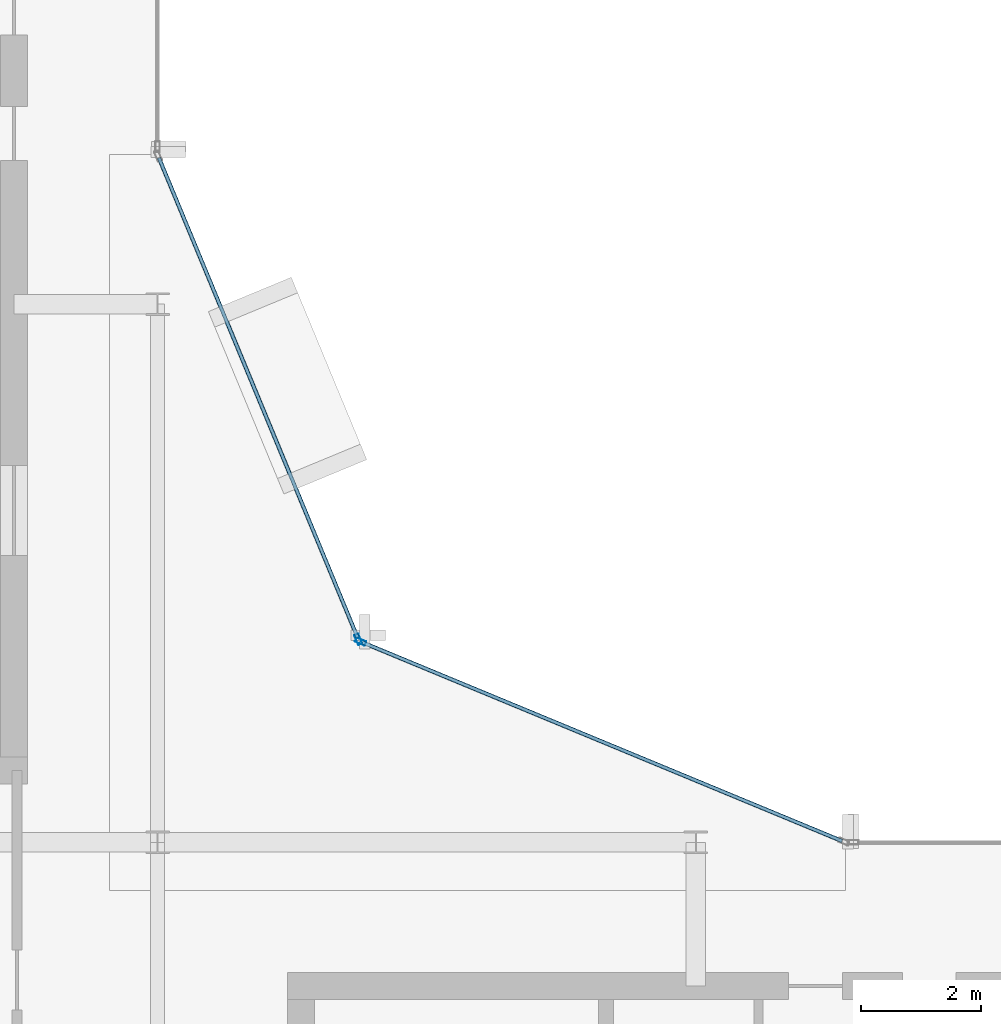
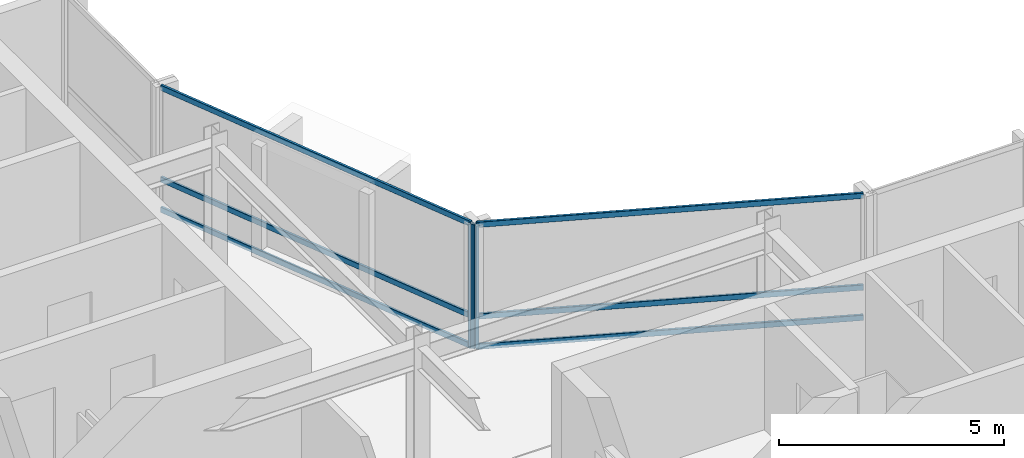
# One storey, part 8 of 19: 8 members, 2 elements without a shape of their own.
"""IFC4 building model written with IfcOpenShell, lengths in metres."""

from ifc_helpers import new_model, si_unit, direction, frame, origin, origin_2d, place, context, subcontext, project, spatial, hollow_rectangle, extrude, material, layer, layer_set, material_profile, profile_set, type_object, element, aggregate, save


model = new_model("IFC4")

# Units and contexts
model_context = context("Model", 3, precision=1e-05, world=origin(), true_north=direction((0.0, 1.0)))
body_context = subcontext(model_context, "Body", "Model", "MODEL_VIEW")
ifc_project = project(units=[si_unit("LENGTHUNIT", "METRE"), si_unit("AREAUNIT", "SQUARE_METRE"), si_unit("VOLUMEUNIT", "CUBIC_METRE"), si_unit("PLANEANGLEUNIT", "RADIAN"), si_unit("MASSUNIT", "GRAM", prefix="KILO")], contexts=[model_context])

# Site, building, storey
site_placement = place(None, origin())
site = spatial("IfcSite", under=ifc_project, at=site_placement, CompositionType="ELEMENT")
building_placement = place(site_placement, origin())
building = spatial("IfcBuilding", under=site, at=building_placement, Name="Solvaryn Broadcast Tower", CompositionType="ELEMENT")
storey_placement = place(building_placement, frame((0.0, 0.0, 281.5)))
storey = spatial("IfcBuildingStorey", under=building, at=storey_placement, Name="L71", CompositionType="ELEMENT", Elevation=281.5)

# Curtain wall, member
ifc_material_1 = material(Name="Aluminium and Terracotta Unitised Curtain Wall", Category="masonry")
ifc_layer = layer(ifc_material_1, 0.199951171875)
ifc_layer_set = layer_set([ifc_layer], Name="CW-SYS2-LOWMID")
curtain_wall_type = type_object("IfcCurtainWallType", Name="CW-SYS2-LOWMID", PredefinedType="NOTDEFINED", material=ifc_layer_set)
curtain_wall_1_placement = place(storey_placement, origin())
curtain_wall_1 = element("IfcCurtainWall", 1, at=curtain_wall_1_placement, inside=storey, type_object=curtain_wall_type, Name="L71 Curtain Wall CN1", PredefinedType="NOTDEFINED")
ifc_material_2 = material(Name="Anodised Aluminium 6063-T6", Category="aluminium")
ifc_material_profile_1 = material_profile(ifc_material_2, hollow_rectangle(XDim=0.074951171875, YDim=0.179931640625, WallThickness=0.00390625, InnerFilletRadius=0.00390625, OuterFilletRadius=0.008056640625, at=origin_2d()))
ifc_profile_set_1 = profile_set([ifc_material_profile_1], Name="Anodised Aluminium 6063-T6")
member_type_1 = type_object("IfcMemberType", Name="CW-MUL-180", PredefinedType="MULLION", material=ifc_profile_set_1)
member_1_placement = place(storey_placement, frame((30.395751953125, 30.3564453125, 0.0), z_axis=(0.0, 0.0, 1.0), x_axis=(-0.382646127145, -0.923894983957, 0.0)))
member_1 = element("IfcMember", 2, at=member_1_placement, type_object=member_type_1, Name="CWS2 mullion 2", PredefinedType="MULLION", context=body_context, shape_type="SweptSolid", body=[
    extrude(hollow_rectangle(XDim=0.074951171875, YDim=0.179931640625, WallThickness=0.00390625, InnerFilletRadius=0.00390625, OuterFilletRadius=0.008056640625, at=origin_2d()), origin(), (0.0, 0.0, 1.0), 3.3701171875),
])

curtain_wall_2_placement = place(storey_placement, origin())
curtain_wall_2 = element("IfcCurtainWall", 3, at=curtain_wall_2_placement, inside=storey, type_object=curtain_wall_type, Name="L71 Curtain Wall CN2", PredefinedType="NOTDEFINED")
member_2_placement = place(storey_placement, frame((30.3564453125, 30.395751953125, 0.0), z_axis=(0.0, 0.0, 1.0), x_axis=(-0.923894983957, -0.382646127145, 0.0)))
member_2 = element("IfcMember", 4, at=member_2_placement, type_object=member_type_1, Name="CWS2 mullion 1", PredefinedType="MULLION", context=body_context, shape_type="SweptSolid", body=[
    extrude(hollow_rectangle(XDim=0.074951171875, YDim=0.179931640625, WallThickness=0.00390625, InnerFilletRadius=0.00390625, OuterFilletRadius=0.008056640625, at=origin_2d()), origin(), (0.0, 0.0, 1.0), 3.3701171875),
])

# Member
ifc_material_3 = material(Name="Anodised Aluminium 6063-T6", Category="aluminium")
ifc_material_profile_2 = material_profile(ifc_material_3, hollow_rectangle(XDim=0.06494140625, YDim=0.14990234375, WallThickness=0.00390625, InnerFilletRadius=0.00390625, OuterFilletRadius=0.008056640625, at=origin_2d()))
ifc_profile_set_2 = profile_set([ifc_material_profile_2], Name="Anodised Aluminium 6063-T6")
member_type_2 = type_object("IfcMemberType", Name="CW-TRN-150", PredefinedType="USERDEFINED", material=ifc_profile_set_2)
member_3_placement = place(storey_placement, frame((38.444580078125, 27.02294921875, 0.030029296875), z_axis=(-0.923899282177, 0.382635748975, 0.0), x_axis=(-0.382635748975, -0.923899282177, 0.0)))
member_3 = element("IfcMember", 5, at=member_3_placement, type_object=member_type_2, Name="CWS2 transom 1.1", ObjectType="TRANSOM", PredefinedType="USERDEFINED", context=body_context, shape_type="SweptSolid", body=[
    extrude(hollow_rectangle(XDim=0.06494140625, YDim=0.14990234375, WallThickness=0.00390625, InnerFilletRadius=0.00390625, OuterFilletRadius=0.008056640625, at=origin_2d()), origin(), (0.0, 0.0, 1.0), 8.681884765625),
])

member_4_placement = place(storey_placement, frame((38.444580078125, 27.02294921875, 0.85009765625), z_axis=(-0.923899282177, 0.382635748975, 0.0), x_axis=(-0.382635748975, -0.923899282177, 0.0)))
member_4 = element("IfcMember", 6, at=member_4_placement, type_object=member_type_2, Name="CWS2 transom 1.2", ObjectType="TRANSOM", PredefinedType="USERDEFINED", context=body_context, shape_type="SweptSolid", body=[
    extrude(hollow_rectangle(XDim=0.06494140625, YDim=0.14990234375, WallThickness=0.00390625, InnerFilletRadius=0.00390625, OuterFilletRadius=0.008056640625, at=origin_2d()), origin(), (0.0, 0.0, 1.0), 8.681884765625),
])

member_5_placement = place(storey_placement, frame((38.444580078125, 27.02294921875, 3.340087890625), z_axis=(-0.923899282177, 0.382635748975, 0.0), x_axis=(-0.382635748975, -0.923899282177, 0.0)))
member_5 = element("IfcMember", 7, at=member_5_placement, type_object=member_type_2, Name="CWS2 transom 1.3", ObjectType="TRANSOM", PredefinedType="USERDEFINED", context=body_context, shape_type="SweptSolid", body=[
    extrude(hollow_rectangle(XDim=0.06494140625, YDim=0.14990234375, WallThickness=0.00390625, InnerFilletRadius=0.00390625, OuterFilletRadius=0.008056640625, at=origin_2d()), origin(), (0.0, 0.0, 1.0), 8.681884765625),
])

aggregate(curtain_wall_1, [member_1, member_3, member_4, member_5])

member_6_placement = place(storey_placement, frame((30.344970703125, 30.42333984375, 0.030029296875), z_axis=(-0.382635748975, 0.923899282177, 0.0), x_axis=(-0.923899282177, -0.382635748975, 0.0)))
member_6 = element("IfcMember", 8, at=member_6_placement, type_object=member_type_2, Name="CWS2 transom 1.1", ObjectType="TRANSOM", PredefinedType="USERDEFINED", context=body_context, shape_type="SweptSolid", body=[
    extrude(hollow_rectangle(XDim=0.06494140625, YDim=0.14990234375, WallThickness=0.00390625, InnerFilletRadius=0.00390625, OuterFilletRadius=0.008056640625, at=origin_2d()), origin(), (0.0, 0.0, 1.0), 8.681884765625),
])

member_7_placement = place(storey_placement, frame((30.344970703125, 30.42333984375, 0.85009765625), z_axis=(-0.382635748975, 0.923899282177, 0.0), x_axis=(-0.923899282177, -0.382635748975, 0.0)))
member_7 = element("IfcMember", 9, at=member_7_placement, type_object=member_type_2, Name="CWS2 transom 1.2", ObjectType="TRANSOM", PredefinedType="USERDEFINED", context=body_context, shape_type="SweptSolid", body=[
    extrude(hollow_rectangle(XDim=0.06494140625, YDim=0.14990234375, WallThickness=0.00390625, InnerFilletRadius=0.00390625, OuterFilletRadius=0.008056640625, at=origin_2d()), origin(), (0.0, 0.0, 1.0), 8.681884765625),
])

member_8_placement = place(storey_placement, frame((30.344970703125, 30.42333984375, 3.340087890625), z_axis=(-0.382635748975, 0.923899282177, 0.0), x_axis=(-0.923899282177, -0.382635748975, 0.0)))
member_8 = element("IfcMember", 10, at=member_8_placement, type_object=member_type_2, Name="CWS2 transom 1.3", ObjectType="TRANSOM", PredefinedType="USERDEFINED", context=body_context, shape_type="SweptSolid", body=[
    extrude(hollow_rectangle(XDim=0.06494140625, YDim=0.14990234375, WallThickness=0.00390625, InnerFilletRadius=0.00390625, OuterFilletRadius=0.008056640625, at=origin_2d()), origin(), (0.0, 0.0, 1.0), 8.681884765625),
])

aggregate(curtain_wall_2, [member_2, member_6, member_7, member_8])

save(model, "model.ifc")
